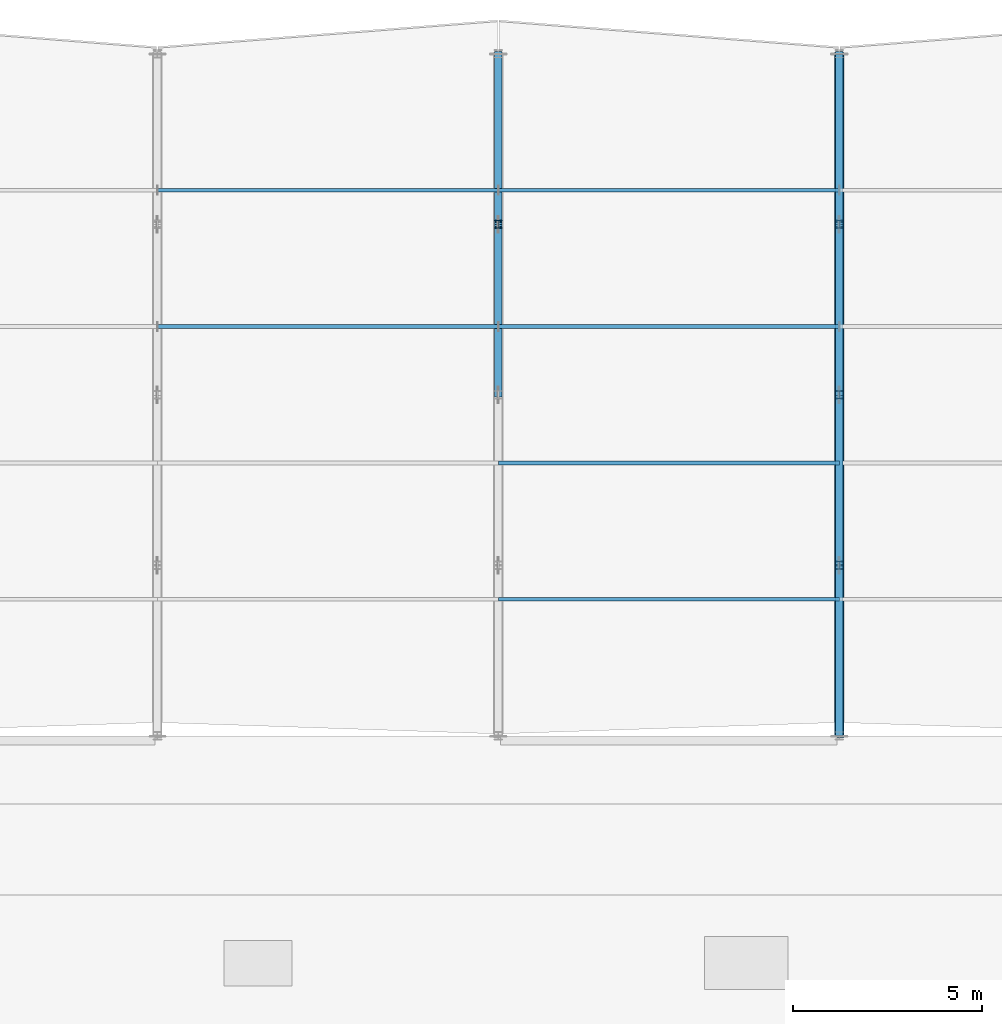
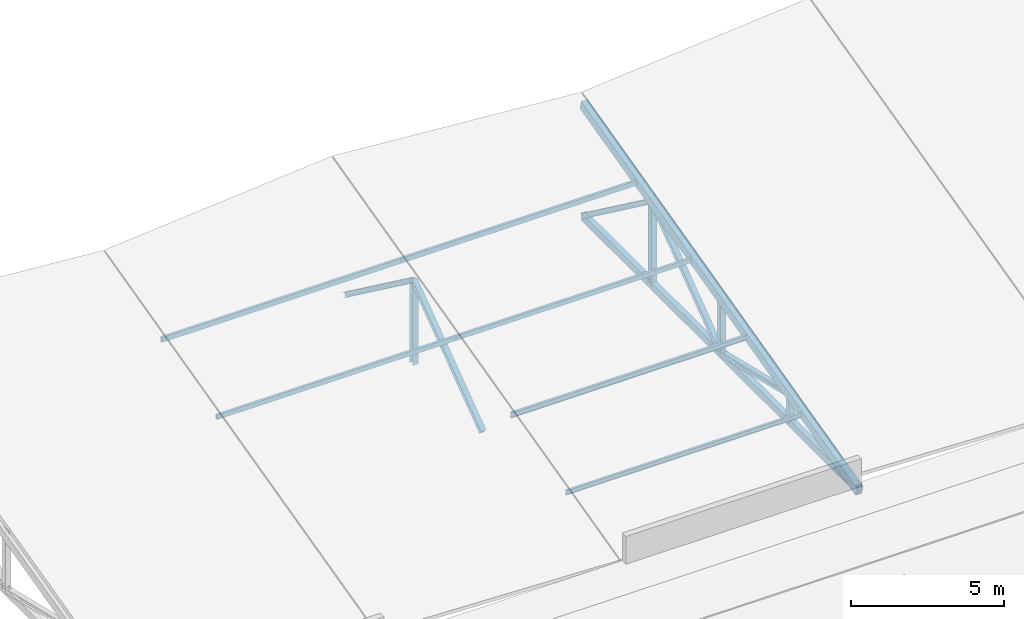
# One storey, part 8 of 36: 18 members.
"""IFC4 building model written with IfcOpenShell, lengths in metres."""

import ifcopenshell
import ifcopenshell.guid

model = None  # the IFC model being written
_history = None  # IfcOwnerHistory: only IFC2X3 demands one
_inside = {}  # id of a spatial element -> (the spatial element, [elements in it])
_under = {}  # id of a project, library or spatial element -> (it, [spatial elements below it])
_declared = {}  # id of a project -> (the project, [libraries it declares])
_typed = {}  # id of a type object -> (the type object, [elements of that type])
_made_of = {}  # id of a material, layer set ... -> (it, [elements and type objects made of it])


def new_model(schema):
    """Start an empty IFC model of exactly this schema.

    Asked for "IFC4X3", IfcOpenShell would pick the latest addendum, in which some entities
    have other attributes; the version numbers below select the first issue.
    IFC2X3 requires an IfcOwnerHistory on every rooted entity: one is made here for all.
    """
    global model, _history
    if schema == "IFC4X3":
        model = ifcopenshell.file(schema_version=(4, 3, 0, 0))
    else:
        model = ifcopenshell.file(schema=schema)
    _inside.clear()
    _under.clear()
    _declared.clear()
    _typed.clear()
    _made_of.clear()
    _history = None
    if model.schema == "IFC2X3":
        org = make("IfcOrganization", Name="unknown")
        user = make(
            "IfcPersonAndOrganization",
            ThePerson=make("IfcPerson", FamilyName="unknown"),
            TheOrganization=org,
        )
        app = make(
            "IfcApplication",
            ApplicationDeveloper=org,
            Version="unknown",
            ApplicationFullName="unknown",
            ApplicationIdentifier="unknown",
        )
        _history = make(
            "IfcOwnerHistory",
            OwningUser=user,
            OwningApplication=app,
            ChangeAction="ADDED",
            CreationDate=0,
        )
    return model


def make(cls, **values):
    """One entity of the class cls with the attributes given. An attribute that is None is left unset."""
    return model.create_entity(
        cls, **{name: value for name, value in values.items() if value is not None}
    )


def rooted(cls, **values):
    """An entity with a GlobalId (a new one), such as an element, a storey or a relation."""
    return make(cls, GlobalId=ifcopenshell.guid.new(), OwnerHistory=_history, **values)


def si_unit(unit_type, name, prefix=None):
    """IfcSIUnit, for example si_unit("LENGTHUNIT", "METRE", prefix="MILLI")."""
    return make("IfcSIUnit", UnitType=unit_type, Prefix=prefix, Name=name)


def assignment(units):
    """IfcUnitAssignment: the units of a project."""
    return None if units is None else make("IfcUnitAssignment", Units=units)


def point(xyz):
    """IfcCartesianPoint."""
    return None if xyz is None else make("IfcCartesianPoint", Coordinates=xyz)


def direction(xyz):
    """IfcDirection."""
    return None if xyz is None else make("IfcDirection", DirectionRatios=xyz)


def frame(location, z_axis=None, x_axis=None):
    """IfcAxis2Placement3D, a coordinate frame: its origin and axes. An axis left out is left unset."""
    return make(
        "IfcAxis2Placement3D",
        Location=point(location),
        Axis=direction(z_axis),
        RefDirection=direction(x_axis),
    )


def frame_2d(location, x_axis=None):
    """IfcAxis2Placement2D, a coordinate frame in the plane: its origin and x axis."""
    return make(
        "IfcAxis2Placement2D", Location=point(location), RefDirection=direction(x_axis)
    )


def origin():
    """The frame at (0, 0, 0) with its axes left unset."""
    return frame((0.0, 0.0, 0.0))


def origin_2d():
    """The frame at (0, 0) in the plane with its x axis left unset."""
    return frame_2d((0.0, 0.0))


def place(relative_to, where):
    """IfcLocalPlacement: puts the frame where relative to a parent placement (None: the world)."""
    return make(
        "IfcLocalPlacement", PlacementRelTo=relative_to, RelativePlacement=where
    )


def context(
    kind, dimensions, precision=None, world=None, true_north=None, identifier=None
):
    """IfcGeometricRepresentationContext, for example the 3D "Model" context."""
    return make(
        "IfcGeometricRepresentationContext",
        ContextIdentifier=identifier,
        ContextType=kind,
        CoordinateSpaceDimension=dimensions,
        Precision=precision,
        WorldCoordinateSystem=world,
        TrueNorth=true_north,
    )


def subcontext(parent, identifier, kind, view, scale=None):
    """IfcGeometricRepresentationSubContext, for example "Body" below "Model"."""
    return make(
        "IfcGeometricRepresentationSubContext",
        ContextIdentifier=identifier,
        ContextType=kind,
        ParentContext=parent,
        TargetScale=scale,
        TargetView=view,
    )


def project(units=None, contexts=None):
    """IfcProject with its units and contexts."""
    return rooted(
        "IfcProject",
        Name="project",
        RepresentationContexts=contexts,
        UnitsInContext=assignment(units),
    )


def spatial(cls, under=None, at=None, **own):
    """A site, building, storey or space (cls), placed at a placement, below another one or the project."""
    s = rooted(cls, ObjectPlacement=at, **own)
    if under is not None:
        _under.setdefault(under.id(), (under, []))[1].append(s)
    return s


def profile(cls, at=None, kind="AREA", **sizes):
    """A parametric profile (cls). Its sizes go by their IFC names, for example OverallWidth=200.0."""
    return make(cls, ProfileType=kind, Position=at, **sizes)


def hollow_rectangle(**sizes):
    """IfcRectangleHollowProfileDef."""
    return profile("IfcRectangleHollowProfileDef", **sizes)


def i_section(**sizes):
    """IfcIShapeProfileDef."""
    return profile("IfcIShapeProfileDef", **sizes)


def extrude(swept, where, along, depth):
    """IfcExtrudedAreaSolid: the profile swept, set in the frame where, extruded along a direction by depth."""
    return make(
        "IfcExtrudedAreaSolid",
        SweptArea=swept,
        Position=where,
        ExtrudedDirection=direction(along),
        Depth=depth,
    )


def shape(context_of_items, identifier, shape_type, items):
    """IfcShapeRepresentation: the items that make up one representation, for example the "Body"."""
    return make(
        "IfcShapeRepresentation",
        ContextOfItems=context_of_items,
        RepresentationIdentifier=identifier,
        RepresentationType=shape_type,
        Items=items,
    )


def material(Name=None, Category=None):
    """IfcMaterial."""
    return make("IfcMaterial", Name=Name, Category=Category)


def material_profile(
    of_material, cross_section, Name=None, Category=None, Priority=None
):
    """IfcMaterialProfile: a cross section and its material."""
    return make(
        "IfcMaterialProfile",
        Name=Name,
        Material=of_material,
        Profile=cross_section,
        Priority=Priority,
        Category=Category,
    )


def profile_set(profiles, Name=None, composite=None):
    """IfcMaterialProfileSet."""
    return make(
        "IfcMaterialProfileSet",
        Name=Name,
        MaterialProfiles=profiles,
        CompositeProfile=composite,
    )


def made_of(thing, what):
    """Note that an element or type object is made of a material, layer set ...; save() writes the relation."""
    if what is not None:
        _made_of.setdefault(what.id(), (what, []))[1].append(thing)
    return thing


def type_object(cls, material=None, **own):
    """A type object (cls), such as IfcWallType, which elements share."""
    return made_of(rooted(cls, **own), material)


def element(
    cls,
    number,
    at=None,
    inside=None,
    cuts=None,
    type_object=None,
    material=None,
    context=None,
    identifier="Body",
    shape_type=None,
    held_by="IfcProductDefinitionShape",
    body=None,
    shapes=None,
    **own,
):
    """One element of the class cls, such as IfcWall. Its Tag is "e" and its number.

    at: its placement. inside: the storey or other place that contains it. cuts: it is an
    opening in that element (IfcRelVoidsElement). A single representation is given by context,
    identifier, shape_type and body (its items); several are given by shapes. held_by: the class
    of the entity that holds the representations. save() writes the other relations.
    """
    e = rooted(cls, Tag="e%d" % number, ObjectPlacement=at, **own)
    if body is not None:
        shapes = [shape(context, identifier, shape_type, body)]
    if shapes is not None:
        e.Representation = make(held_by, Representations=shapes)
    if inside is not None:
        _inside.setdefault(inside.id(), (inside, []))[1].append(e)
    if cuts is not None:
        rooted(
            "IfcRelVoidsElement", RelatingBuildingElement=cuts, RelatedOpeningElement=e
        )
    if type_object is not None:
        _typed.setdefault(type_object.id(), (type_object, []))[1].append(e)
    return made_of(e, material)


def aggregate(whole, parts):
    """IfcRelAggregates: a whole, such as a stair, and the parts it consists of."""
    return rooted("IfcRelAggregates", RelatingObject=whole, RelatedObjects=parts)


def save(model, path):
    """Write the relations noted so far, then the file.

    IfcRelAggregates (storeys below a building ...), IfcRelContainedInSpatialStructure (elements
    in a storey), IfcRelDefinesByType, IfcRelAssociatesMaterial and IfcRelDeclares: one each for
    every whole, place, type object, material and project.
    """
    for whole, parts in _under.values():
        aggregate(whole, parts)
    for where, things in _inside.values():
        rooted(
            "IfcRelContainedInSpatialStructure",
            RelatedElements=things,
            RelatingStructure=where,
        )
    for kind, things in _typed.values():
        rooted("IfcRelDefinesByType", RelatedObjects=things, RelatingType=kind)
    for what, things in _made_of.values():
        rooted("IfcRelAssociatesMaterial", RelatedObjects=things, RelatingMaterial=what)
    for by, libraries in _declared.values():
        rooted("IfcRelDeclares", RelatingContext=by, RelatedDefinitions=libraries)
    model.write(path)


model = new_model("IFC4")

# Units and contexts
model_context = context("Model", 3, precision=1e-05, world=origin(), true_north=direction((0.0, 1.0)))
body_context = subcontext(model_context, "Body", "Model", "MODEL_VIEW")
ifc_project = project(units=[si_unit("LENGTHUNIT", "METRE"), si_unit("AREAUNIT", "SQUARE_METRE"), si_unit("VOLUMEUNIT", "CUBIC_METRE"), si_unit("PLANEANGLEUNIT", "RADIAN"), si_unit("MASSUNIT", "GRAM", prefix="KILO")], contexts=[model_context])

# Site, building, storey
site_placement = place(None, origin())
site = spatial("IfcSite", under=ifc_project, at=site_placement, CompositionType="ELEMENT")
building_placement = place(site_placement, origin())
building = spatial("IfcBuilding", under=site, at=building_placement, Name="Montelvaro Courts of Justice", CompositionType="ELEMENT")
storey_placement = place(building_placement, frame((0.0, 0.0, 23.39990234375)))
storey = spatial("IfcBuildingStorey", under=building, at=storey_placement, Name="L05", CompositionType="ELEMENT", Elevation=23.39990234375)

# Members
ifc_material = material(Name="Steel S355", Category="steel")
ifc_material_profile_1 = material_profile(ifc_material, i_section(OverallWidth=0.199951171875, OverallDepth=0.18994140625, WebThickness=0.006591796875, FlangeThickness=0.010009765625, at=origin_2d()), Name="HEA 200")
ifc_profile_set_1 = profile_set([ifc_material_profile_1], Name="Steel S355")
member_type_1 = type_object("IfcMemberType", Name="Mem_HEA200_Brace", PredefinedType="BRACE", material=ifc_profile_set_1)
for number, where, z_axis, x_axis, name in (
    (1, (117.0, 87.0, -0.2998046875), (0.0, 0.804273161752, 0.594259775928), (-1.0, 0.0, 0.0), "Roof Truss Web MB-02 ROOF-V2-VTR03-W3"),
    (2, (117.0, 91.5, 3.025146484375), (0.0, 0.804273161752, -0.594259775928), (-1.0, 0.0, 0.0), "Roof Truss Web MB-02 ROOF-V2-VTR03-W4"),
):
    element("IfcMember", number, at=place(storey_placement, frame(where, z_axis=z_axis, x_axis=x_axis)), inside=storey, type_object=member_type_1, Name=name, PredefinedType="BRACE", context=body_context, shape_type="SweptSolid", body=[
        extrude(i_section(OverallWidth=0.199951171875, OverallDepth=0.18994140625, WebThickness=0.006591796875, FlangeThickness=0.010009765625, at=origin_2d()), origin(), (0.0, 0.0, 1.0), 5.59521484375),
    ])
for number, where, z_axis, x_axis, name in (
    (3, (126.0, 78.0, -0.2998046875), (0.0, 0.97263439265, 0.232340995597), (-1.0, 0.0, 0.0), "Roof Truss Web MB-02 ROOF-V2-VTR04-W1"),
    (4, (126.0, 82.5, 0.775146484375), (0.0, 0.97263439265, -0.232340995597), (-1.0, 0.0, 0.0), "Roof Truss Web MB-02 ROOF-V2-VTR04-W2"),
):
    element("IfcMember", number, at=place(storey_placement, frame(where, z_axis=z_axis, x_axis=x_axis)), inside=storey, type_object=member_type_1, Name=name, PredefinedType="BRACE", context=body_context, shape_type="SweptSolid", body=[
        extrude(i_section(OverallWidth=0.199951171875, OverallDepth=0.18994140625, WebThickness=0.006591796875, FlangeThickness=0.010009765625, at=origin_2d()), origin(), (0.0, 0.0, 1.0), 4.626708984375),
    ])
for number, where, z_axis, x_axis, name in (
    (5, (126.0, 87.0, -0.2998046875), (0.0, 0.804273161752, 0.594259775928), (-1.0, 0.0, 0.0), "Roof Truss Web MB-02 ROOF-V2-VTR04-W3"),
    (6, (126.0, 91.5, 3.025146484375), (0.0, 0.804273161752, -0.594259775928), (-1.0, 0.0, 0.0), "Roof Truss Web MB-02 ROOF-V2-VTR04-W4"),
):
    element("IfcMember", number, at=place(storey_placement, frame(where, z_axis=z_axis, x_axis=x_axis)), inside=storey, type_object=member_type_1, Name=name, PredefinedType="BRACE", context=body_context, shape_type="SweptSolid", body=[
        extrude(i_section(OverallWidth=0.199951171875, OverallDepth=0.18994140625, WebThickness=0.006591796875, FlangeThickness=0.010009765625, at=origin_2d()), origin(), (0.0, 0.0, 1.0), 5.59521484375),
    ])
ifc_material_profile_2 = material_profile(ifc_material, i_section(OverallWidth=0.219970703125, OverallDepth=0.2099609375, WebThickness=0.007080078125, FlangeThickness=0.010986328125, at=origin_2d()), Name="HEA 220")
ifc_profile_set_2 = profile_set([ifc_material_profile_2], Name="Steel S355")
member_type_2 = type_object("IfcMemberType", Name="Mem_HEA220_Post", PredefinedType="POST", material=ifc_profile_set_2)
member_1_placement = place(storey_placement, frame((117.0, 91.5, -0.2998046875), z_axis=(0.0, 0.0, 1.0), x_axis=(1.0, 0.0, 0.0)))
element("IfcMember", 7, at=member_1_placement, inside=storey, type_object=member_type_2, Name="Roof Truss Post MP-03 ROOF-V2-VTR03-V3", PredefinedType="POST", context=body_context, shape_type="SweptSolid", body=[
    extrude(i_section(OverallWidth=0.219970703125, OverallDepth=0.2099609375, WebThickness=0.007080078125, FlangeThickness=0.010986328125, at=origin_2d()), origin(), (0.0, 0.0, 1.0), 3.324951171875),
])
member_2_placement = place(storey_placement, frame((126.0, 82.5, -0.2998046875), z_axis=(0.0, 0.0, 1.0), x_axis=(1.0, 0.0, 0.0)))
element("IfcMember", 8, at=member_2_placement, inside=storey, type_object=member_type_2, Name="Roof Truss Post MP-03 ROOF-V2-VTR04-V1", PredefinedType="POST", context=body_context, shape_type="SweptSolid", body=[
    extrude(i_section(OverallWidth=0.219970703125, OverallDepth=0.2099609375, WebThickness=0.007080078125, FlangeThickness=0.010986328125, at=origin_2d()), origin(), (0.0, 0.0, 1.0), 1.074951171875),
])
member_3_placement = place(storey_placement, frame((126.0, 87.0, -0.2998046875), z_axis=(0.0, 0.0, 1.0), x_axis=(1.0, 0.0, 0.0)))
element("IfcMember", 9, at=member_3_placement, inside=storey, type_object=member_type_2, Name="Roof Truss Post MP-03 ROOF-V2-VTR04-V2", PredefinedType="POST", context=body_context, shape_type="SweptSolid", body=[
    extrude(i_section(OverallWidth=0.219970703125, OverallDepth=0.2099609375, WebThickness=0.007080078125, FlangeThickness=0.010986328125, at=origin_2d()), origin(), (0.0, 0.0, 1.0), 2.199951171875),
])
member_4_placement = place(storey_placement, frame((126.0, 91.5, -0.2998046875), z_axis=(0.0, 0.0, 1.0), x_axis=(1.0, 0.0, 0.0)))
element("IfcMember", 10, at=member_4_placement, inside=storey, type_object=member_type_2, Name="Roof Truss Post MP-03 ROOF-V2-VTR04-V3", PredefinedType="POST", context=body_context, shape_type="SweptSolid", body=[
    extrude(i_section(OverallWidth=0.219970703125, OverallDepth=0.2099609375, WebThickness=0.007080078125, FlangeThickness=0.010986328125, at=origin_2d()), origin(), (0.0, 0.0, 1.0), 3.324951171875),
])
ifc_material_profile_3 = material_profile(ifc_material, i_section(OverallWidth=0.091064453125, OverallDepth=0.179931640625, WebThickness=0.00537109375, FlangeThickness=0.008056640625, at=origin_2d()), Name="IPE 180")
ifc_profile_set_3 = profile_set([ifc_material_profile_3], Name="Steel S355")
member_type_3 = type_object("IfcMemberType", Name="Mem_IPE180_Purlin", PredefinedType="PURLIN", material=ifc_profile_set_3)
member_5_placement = place(storey_placement, frame((117.0, 81.60009765625, 0.550048828125), z_axis=(1.0, 0.0, 0.0), x_axis=(0.0, 1.0, 0.0)))
element("IfcMember", 11, at=member_5_placement, inside=storey, type_object=member_type_3, Name="Roof Purlin MR-01 ROOF-V2-PRL-03-1M", PredefinedType="PURLIN", context=body_context, shape_type="SweptSolid", body=[
    extrude(i_section(OverallWidth=0.091064453125, OverallDepth=0.179931640625, WebThickness=0.00537109375, FlangeThickness=0.008056640625, at=origin_2d()), origin(), (0.0, 0.0, 1.0), 9.0),
])
ifc_material_profile_4 = material_profile(ifc_material, i_section(OverallWidth=0.10009765625, OverallDepth=0.199951171875, WebThickness=0.005615234375, FlangeThickness=0.008544921875, at=origin_2d()), Name="IPE 200")
ifc_profile_set_4 = profile_set([ifc_material_profile_4], Name="Steel S355")
member_type_4 = type_object("IfcMemberType", Name="Mem_IPE200_Purlin", PredefinedType="PURLIN", material=ifc_profile_set_4)
member_6_placement = place(storey_placement, frame((117.0, 85.199951171875, 1.4501953125), z_axis=(1.0, 0.0, 0.0), x_axis=(0.0, 1.0, 0.0)))
element("IfcMember", 12, at=member_6_placement, inside=storey, type_object=member_type_4, Name="Roof Purlin MR-02 ROOF-V2-PRL-03-2M", PredefinedType="PURLIN", context=body_context, shape_type="SweptSolid", body=[
    extrude(i_section(OverallWidth=0.10009765625, OverallDepth=0.199951171875, WebThickness=0.005615234375, FlangeThickness=0.008544921875, at=origin_2d()), origin(), (0.0, 0.0, 1.0), 9.0),
])
ifc_material_profile_5 = material_profile(ifc_material, hollow_rectangle(XDim=0.10009765625, YDim=0.179931640625, WallThickness=0.008056640625, at=origin_2d()), Name="RHS 180x100x8")
ifc_profile_set_5 = profile_set([ifc_material_profile_5], Name="Steel S355")
member_type_5 = type_object("IfcMemberType", Name="Mem_RHS180_Purlin", PredefinedType="PURLIN", material=ifc_profile_set_5)
for number, where, z_axis, x_axis, name in (
    (13, (108.0, 88.800048828125, 2.35009765625), (1.0, 0.0, 0.0), (0.0, 1.0, 0.0), "Roof Purlin MR-03 ROOF-V2-PRL-02-3M"),
    (14, (117.0, 88.800048828125, 2.35009765625), (1.0, 0.0, 0.0), (0.0, 1.0, 0.0), "Roof Purlin MR-03 ROOF-V2-PRL-03-3M"),
):
    element("IfcMember", number, at=place(storey_placement, frame(where, z_axis=z_axis, x_axis=x_axis)), inside=storey, type_object=member_type_5, Name=name, PredefinedType="PURLIN", context=body_context, shape_type="SweptSolid", body=[
        extrude(hollow_rectangle(XDim=0.10009765625, YDim=0.179931640625, WallThickness=0.008056640625, at=origin_2d()), origin(), (0.0, 0.0, 1.0), 9.0),
    ])
ifc_material_profile_6 = material_profile(ifc_material, hollow_rectangle(XDim=0.10009765625, YDim=0.199951171875, WallThickness=0.008056640625, at=origin_2d()), Name="RHS 200x100x8")
ifc_profile_set_6 = profile_set([ifc_material_profile_6], Name="Steel S355")
member_type_6 = type_object("IfcMemberType", Name="Mem_RHS200_Purlin", PredefinedType="PURLIN", material=ifc_profile_set_6)
for number, where, z_axis, x_axis, name in (
    (15, (108.0, 92.39990234375, 3.25), (1.0, 0.0, 0.0), (0.0, 1.0, 0.0), "Roof Purlin MR-04 ROOF-V2-PRL-02-4M"),
    (16, (117.0, 92.39990234375, 3.25), (1.0, 0.0, 0.0), (0.0, 1.0, 0.0), "Roof Purlin MR-04 ROOF-V2-PRL-03-4M"),
):
    element("IfcMember", number, at=place(storey_placement, frame(where, z_axis=z_axis, x_axis=x_axis)), inside=storey, type_object=member_type_6, Name=name, PredefinedType="PURLIN", context=body_context, shape_type="SweptSolid", body=[
        extrude(hollow_rectangle(XDim=0.10009765625, YDim=0.199951171875, WallThickness=0.008056640625, at=origin_2d()), origin(), (0.0, 0.0, 1.0), 9.0),
    ])
ifc_material_profile_7 = material_profile(ifc_material, hollow_rectangle(XDim=0.199951171875, YDim=0.300048828125, WallThickness=0.012451171875, at=origin_2d()), Name="RHS 300x200x12.5")
ifc_profile_set_7 = profile_set([ifc_material_profile_7], Name="Steel S355")
member_type_7 = type_object("IfcMemberType", Name="Mem_RHS300_Chord", PredefinedType="CHORD", material=ifc_profile_set_7)
member_7_placement = place(storey_placement, frame((126.0, 78.0, -0.2998046875), z_axis=(0.0, 1.0, 0.0), x_axis=(-1.0, 0.0, 0.0)))
element("IfcMember", 17, at=member_7_placement, inside=storey, type_object=member_type_7, Name="Roof Truss ROOF-V2-VTR04 Bottom Chord", PredefinedType="CHORD", context=body_context, shape_type="SweptSolid", body=[
    extrude(hollow_rectangle(XDim=0.199951171875, YDim=0.300048828125, WallThickness=0.012451171875, at=origin_2d()), origin(), (0.0, 0.0, 1.0), 18.0),
])
ifc_material_profile_8 = material_profile(ifc_material, hollow_rectangle(XDim=0.25, YDim=0.35009765625, WallThickness=0.012451171875, at=origin_2d()), Name="RHS 350x250x12.5")
ifc_profile_set_8 = profile_set([ifc_material_profile_8], Name="Steel S355")
member_type_8 = type_object("IfcMemberType", Name="Mem_RHS350_Chord", PredefinedType="CHORD", material=ifc_profile_set_8)
member_8_placement = place(storey_placement, frame((126.0, 78.0, -0.349853515625), z_axis=(0.0, 0.970142500145, 0.242535625036), x_axis=(-1.0, 0.0, 0.0)))
element("IfcMember", 18, at=member_8_placement, inside=storey, type_object=member_type_8, Name="Roof Truss ROOF-V2-VTR04 Top Chord", PredefinedType="CHORD", context=body_context, shape_type="SweptSolid", body=[
    extrude(hollow_rectangle(XDim=0.25, YDim=0.35009765625, WallThickness=0.012451171875, at=origin_2d()), origin(), (0.0, 0.0, 1.0), 18.553955078125),
])

save(model, "model.ifc")
